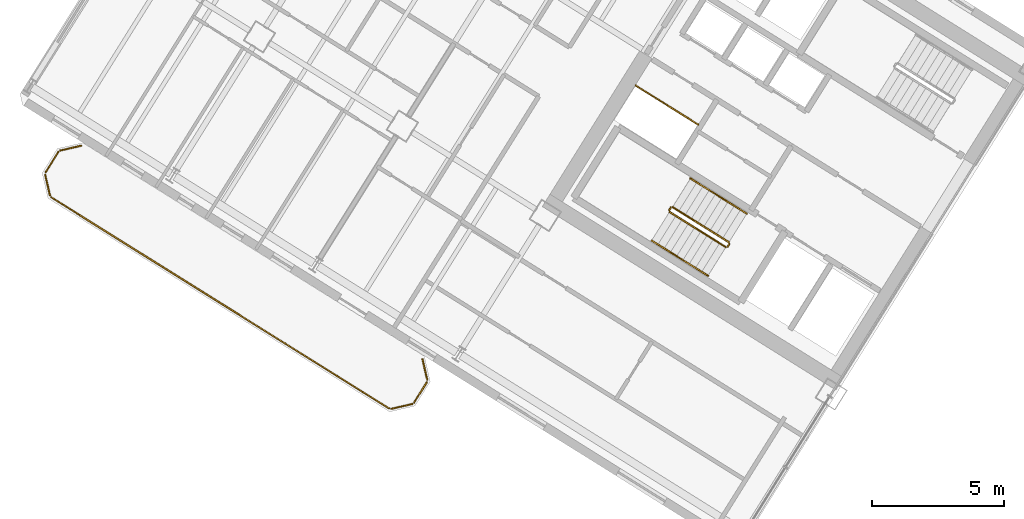
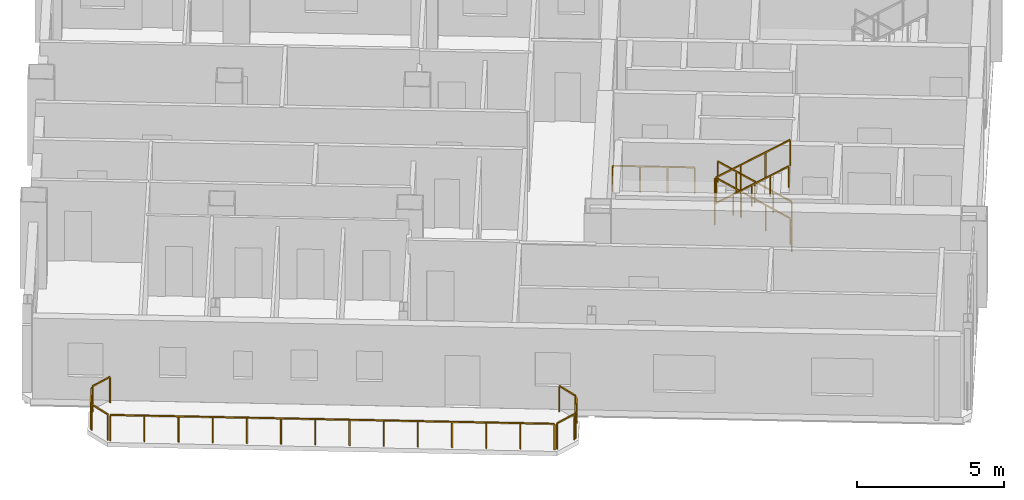
# One storey, part 15 of 18: 16 railings.
"""IFC4 building model written with IfcOpenShell, lengths in metres."""

from ifc_helpers import new_model, si_unit, direction, frame, origin, origin_2d, place, context, subcontext, project, spatial, rectangle, extrude, source, transform, mapped, material, type_object, element, save


model = new_model("IFC4")

# Units and contexts
model_context = context("Model", 3, precision=1e-05, world=origin(), true_north=direction((0.0, 1.0)))
body_context = subcontext(model_context, "Body", "Model", "MODEL_VIEW")
ifc_project = project(units=[si_unit("LENGTHUNIT", "METRE"), si_unit("AREAUNIT", "SQUARE_METRE"), si_unit("VOLUMEUNIT", "CUBIC_METRE"), si_unit("PLANEANGLEUNIT", "RADIAN"), si_unit("MASSUNIT", "GRAM", prefix="KILO")], contexts=[model_context])

# Site, building, storey
site_placement = place(None, origin())
site = spatial("IfcSite", under=ifc_project, at=site_placement, CompositionType="ELEMENT")
building_placement = place(site_placement, origin())
building = spatial("IfcBuilding", under=site, at=building_placement, Name="Tlacorven Tower", CompositionType="ELEMENT")
storey_placement = place(building_placement, frame((0.0, 0.0, 140.699951171875)))
storey = spatial("IfcBuildingStorey", under=building, at=storey_placement, Name="L35", CompositionType="ELEMENT", Elevation=140.699951171875)

# Railings
ifc_material = material(Name="Aluminium and painted steel balustrade", Category="steel")
railing_type_1 = type_object("IfcRailingType", Name="RL-GRD-1100", PredefinedType="GUARDRAIL", material=ifc_material)
shared_shape_1 = source(origin(), body_context, "Body", "SweptSolid", [
    extrude(rectangle(XDim=0.048095703125, YDim=0.048095703125, at=origin_2d()), frame((0.0, 0.0, 1.076171875), z_axis=(-0.848091358275, 0.529850024081, 0.0), x_axis=(-0.529850024081, -0.848091358275, 0.0)), (0.0, 0.0, 1.0), 2.800048828125),
    extrude(rectangle(XDim=0.0419921875, YDim=0.0419921875, at=origin_2d()), origin(), (0.0, 0.0, 1.0), 1.052001953125),
    extrude(rectangle(XDim=0.0419921875, YDim=0.0419921875, at=origin_2d()), frame((-0.79150390625, 0.49462890625, 0.0)), (0.0, 0.0, 1.0), 1.052001953125),
    extrude(rectangle(XDim=0.0419921875, YDim=0.0419921875, at=origin_2d()), frame((-1.583251953125, 0.989013671875, 0.0)), (0.0, 0.0, 1.0), 1.052001953125),
    extrude(rectangle(XDim=0.0419921875, YDim=0.0419921875, at=origin_2d()), frame((-2.374755859375, 1.483642578125, 0.0)), (0.0, 0.0, 1.0), 1.052001953125),
])
railing_1_placement = place(storey_placement, frame((27.9912109375, 22.32080078125, 0.0)))
element("IfcRailing", 1, at=railing_1_placement, inside=storey, type_object=railing_type_1, Name="L35 Electrical Riser W Shaft Guard 1", PredefinedType="GUARDRAIL", context=body_context, shape_type="MappedRepresentation", body=[
    mapped(shared_shape_1, transform((0.0, 0.0, 0.0), scale=1.0)),
])
railing_type_2 = type_object("IfcRailingType", Name="RL-BAL-1100", PredefinedType="BALUSTRADE", material=ifc_material)
shared_shape_2 = source(origin(), body_context, "Body", "SweptSolid", [
    extrude(rectangle(XDim=0.048095703125, YDim=0.048095703125, at=origin_2d()), frame((0.0, 0.0, 1.076171875), z_axis=(0.225058334816, -0.974345290916, 0.0), x_axis=(0.974345290916, 0.225058334816, 0.0)), (0.0, 0.0, 1.0), 0.80712890625),
    extrude(rectangle(XDim=0.0419921875, YDim=0.0419921875, at=origin_2d()), origin(), (0.0, 0.0, 1.0), 1.052001953125),
    extrude(rectangle(XDim=0.0419921875, YDim=0.0419921875, at=origin_2d()), frame((0.181640625, -0.786376953125, 0.0)), (0.0, 0.0, 1.0), 1.052001953125),
])
railing_2_placement = place(storey_placement, frame((17.5244140625, 13.413330078125, 0.0)))
element("IfcRailing", 2, at=railing_2_placement, inside=storey, type_object=railing_type_2, Name="BAL-L35-W-OUT Guard Railing 1", PredefinedType="BALUSTRADE", context=body_context, shape_type="MappedRepresentation", body=[
    mapped(shared_shape_2, transform((0.0, 0.0, 0.0), scale=1.0)),
])
shared_shape_3 = source(origin(), body_context, "Body", "SweptSolid", [
    extrude(rectangle(XDim=0.048095703125, YDim=0.048095703125, at=origin_2d()), frame((0.0, 0.0, 1.076171875), z_axis=(-0.52987865805, -0.848073468364, 0.0), x_axis=(0.848073468364, -0.52987865805, 0.0)), (0.0, 0.0, 1.0), 0.912353515625),
    extrude(rectangle(XDim=0.0419921875, YDim=0.0419921875, at=origin_2d()), origin(), (0.0, 0.0, 1.0), 1.052001953125),
    extrude(rectangle(XDim=0.0419921875, YDim=0.0419921875, at=origin_2d()), frame((-0.4833984375, -0.773681640625, 0.0)), (0.0, 0.0, 1.0), 1.052001953125),
])
railing_3_placement = place(storey_placement, frame((17.690673828125, 12.535888671875, 0.0)))
element("IfcRailing", 3, at=railing_3_placement, inside=storey, type_object=railing_type_2, Name="BAL-L35-W-OUT Guard Railing 2", PredefinedType="BALUSTRADE", context=body_context, shape_type="MappedRepresentation", body=[
    mapped(shared_shape_3, transform((0.0, 0.0, 0.0), scale=1.0)),
])
shared_shape_4 = source(origin(), body_context, "Body", "SweptSolid", [
    extrude(rectangle(XDim=0.048095703125, YDim=0.048095703125, at=origin_2d()), frame((0.0, 0.0, 1.076171875), z_axis=(-0.974411586182, -0.224771129628, 0.0), x_axis=(0.224771129628, -0.974411586182, 0.0)), (0.0, 0.0, 1.0), 0.80712890625),
    extrude(rectangle(XDim=0.0419921875, YDim=0.0419921875, at=origin_2d()), origin(), (0.0, 0.0, 1.0), 1.052001953125),
    extrude(rectangle(XDim=0.0419921875, YDim=0.0419921875, at=origin_2d()), frame((-0.786376953125, -0.181396484375, 0.0)), (0.0, 0.0, 1.0), 1.052001953125),
])
railing_4_placement = place(storey_placement, frame((17.132080078125, 11.70849609375, 0.0)))
element("IfcRailing", 4, at=railing_4_placement, inside=storey, type_object=railing_type_2, Name="BAL-L35-W-OUT Guard Railing 3", PredefinedType="BALUSTRADE", context=body_context, shape_type="MappedRepresentation", body=[
    mapped(shared_shape_4, transform((0.0, 0.0, 0.0), scale=1.0)),
])
shared_shape_5 = source(origin(), body_context, "Body", "SweptSolid", [
    extrude(rectangle(XDim=0.048095703125, YDim=0.048095703125, at=origin_2d()), frame((0.0, 0.0, 1.076171875), z_axis=(-0.848044572804, 0.529924902733, 0.0), x_axis=(-0.529924902733, -0.848044572804, 0.0)), (0.0, 0.0, 1.0), 15.1171875),
    extrude(rectangle(XDim=0.0419921875, YDim=0.0419921875, at=origin_2d()), origin(), (0.0, 0.0, 1.0), 1.052001953125),
    extrude(rectangle(XDim=0.0419921875, YDim=0.0419921875, at=origin_2d()), frame((-0.986083984375, 0.6162109375, 0.0)), (0.0, 0.0, 1.0), 1.052001953125),
    extrude(rectangle(XDim=0.0419921875, YDim=0.0419921875, at=origin_2d()), frame((-1.972412109375, 1.232421875, 0.0)), (0.0, 0.0, 1.0), 1.052001953125),
    extrude(rectangle(XDim=0.0419921875, YDim=0.0419921875, at=origin_2d()), frame((-2.95849609375, 1.8486328125, 0.0)), (0.0, 0.0, 1.0), 1.052001953125),
    extrude(rectangle(XDim=0.0419921875, YDim=0.0419921875, at=origin_2d()), frame((-3.944580078125, 2.46484375, 0.0)), (0.0, 0.0, 1.0), 1.052001953125),
    extrude(rectangle(XDim=0.0419921875, YDim=0.0419921875, at=origin_2d()), frame((-4.930908203125, 3.0810546875, 0.0)), (0.0, 0.0, 1.0), 1.052001953125),
    extrude(rectangle(XDim=0.0419921875, YDim=0.0419921875, at=origin_2d()), frame((-5.9169921875, 3.697265625, 0.0)), (0.0, 0.0, 1.0), 1.052001953125),
    extrude(rectangle(XDim=0.0419921875, YDim=0.0419921875, at=origin_2d()), frame((-6.903076171875, 4.313720703125, 0.0)), (0.0, 0.0, 1.0), 1.052001953125),
    extrude(rectangle(XDim=0.0419921875, YDim=0.0419921875, at=origin_2d()), frame((-7.88916015625, 4.929931640625, 0.0)), (0.0, 0.0, 1.0), 1.052001953125),
    extrude(rectangle(XDim=0.0419921875, YDim=0.0419921875, at=origin_2d()), frame((-8.87548828125, 5.546142578125, 0.0)), (0.0, 0.0, 1.0), 1.052001953125),
    extrude(rectangle(XDim=0.0419921875, YDim=0.0419921875, at=origin_2d()), frame((-9.861572265625, 6.162353515625, 0.0)), (0.0, 0.0, 1.0), 1.052001953125),
    extrude(rectangle(XDim=0.0419921875, YDim=0.0419921875, at=origin_2d()), frame((-10.84765625, 6.778564453125, 0.0)), (0.0, 0.0, 1.0), 1.052001953125),
    extrude(rectangle(XDim=0.0419921875, YDim=0.0419921875, at=origin_2d()), frame((-11.833984375, 7.394775390625, 0.0)), (0.0, 0.0, 1.0), 1.052001953125),
    extrude(rectangle(XDim=0.0419921875, YDim=0.0419921875, at=origin_2d()), frame((-12.820068359375, 8.010986328125, 0.0)), (0.0, 0.0, 1.0), 1.052001953125),
])
railing_5_placement = place(storey_placement, frame((16.254638671875, 11.542236328125, 0.0)))
element("IfcRailing", 5, at=railing_5_placement, inside=storey, type_object=railing_type_2, Name="BAL-L35-W-OUT Guard Railing 4", PredefinedType="BALUSTRADE", context=body_context, shape_type="MappedRepresentation", body=[
    mapped(shared_shape_5, transform((0.0, 0.0, 0.0), scale=1.0)),
])
shared_shape_6 = source(origin(), body_context, "Body", "SweptSolid", [
    extrude(rectangle(XDim=0.048095703125, YDim=0.048095703125, at=origin_2d()), frame((0.0, 0.0, 1.076171875), z_axis=(-0.225058334816, 0.974345290916, 0.0), x_axis=(-0.974345290916, -0.225058334816, 0.0)), (0.0, 0.0, 1.0), 0.80712890625),
    extrude(rectangle(XDim=0.0419921875, YDim=0.0419921875, at=origin_2d()), origin(), (0.0, 0.0, 1.0), 1.052001953125),
    extrude(rectangle(XDim=0.0419921875, YDim=0.0419921875, at=origin_2d()), frame((-0.181640625, 0.786376953125, 0.0)), (0.0, 0.0, 1.0), 1.052001953125),
])
railing_6_placement = place(storey_placement, frame((3.380859375, 19.62841796875, 0.0)))
element("IfcRailing", 6, at=railing_6_placement, inside=storey, type_object=railing_type_2, Name="BAL-L35-W-OUT Guard Railing 5", PredefinedType="BALUSTRADE", context=body_context, shape_type="MappedRepresentation", body=[
    mapped(shared_shape_6, transform((0.0, 0.0, 0.0), scale=1.0)),
])
shared_shape_7 = source(origin(), body_context, "Body", "SweptSolid", [
    extrude(rectangle(XDim=0.048095703125, YDim=0.048095703125, at=origin_2d()), frame((0.0, 0.0, 1.076171875), z_axis=(0.52987865805, 0.848073468364, 0.0), x_axis=(-0.848073468364, 0.52987865805, 0.0)), (0.0, 0.0, 1.0), 0.912353515625),
    extrude(rectangle(XDim=0.0419921875, YDim=0.0419921875, at=origin_2d()), origin(), (0.0, 0.0, 1.0), 1.052001953125),
    extrude(rectangle(XDim=0.0419921875, YDim=0.0419921875, at=origin_2d()), frame((0.4833984375, 0.773681640625, 0.0)), (0.0, 0.0, 1.0), 1.052001953125),
])
railing_7_placement = place(storey_placement, frame((3.214599609375, 20.505859375, 0.0)))
element("IfcRailing", 7, at=railing_7_placement, inside=storey, type_object=railing_type_2, Name="BAL-L35-W-OUT Guard Railing 6", PredefinedType="BALUSTRADE", context=body_context, shape_type="MappedRepresentation", body=[
    mapped(shared_shape_7, transform((0.0, 0.0, 0.0), scale=1.0)),
])
shared_shape_8 = source(origin(), body_context, "Body", "SweptSolid", [
    extrude(rectangle(XDim=0.048095703125, YDim=0.048095703125, at=origin_2d()), frame((0.0, 0.0, 1.076171875), z_axis=(0.974345290916, 0.225058334816, 0.0), x_axis=(-0.225058334816, 0.974345290916, 0.0)), (0.0, 0.0, 1.0), 0.80712890625),
    extrude(rectangle(XDim=0.0419921875, YDim=0.0419921875, at=origin_2d()), origin(), (0.0, 0.0, 1.0), 1.052001953125),
    extrude(rectangle(XDim=0.0419921875, YDim=0.0419921875, at=origin_2d()), frame((0.786376953125, 0.181640625, 0.0)), (0.0, 0.0, 1.0), 1.052001953125),
])
railing_8_placement = place(storey_placement, frame((3.773193359375, 21.3330078125, 0.0)))
element("IfcRailing", 8, at=railing_8_placement, inside=storey, type_object=railing_type_2, Name="BAL-L35-W-OUT Guard Railing 7", PredefinedType="BALUSTRADE", context=body_context, shape_type="MappedRepresentation", body=[
    mapped(shared_shape_8, transform((0.0, 0.0, 0.0), scale=1.0)),
])
shared_shape_9 = source(origin(), body_context, "Body", "SweptSolid", [
    extrude(rectangle(XDim=0.048095703125, YDim=0.048095703125, at=origin_2d()), frame((0.0, 0.0, 1.076171875), z_axis=(-0.529084052582, -0.848569422795, 0.0), x_axis=(0.848569422795, -0.529084052582, 0.0)), (0.0, 0.0, 1.0), 0.119873046875),
    extrude(rectangle(XDim=0.0419921875, YDim=0.0419921875, at=origin_2d()), origin(), (0.0, 0.0, 1.0), 1.052001953125),
    extrude(rectangle(XDim=0.0419921875, YDim=0.0419921875, at=origin_2d()), frame((-0.0634765625, -0.101806640625, 0.0)), (0.0, 0.0, 1.0), 1.052001953125),
])
railing_9_placement = place(storey_placement, frame((29.176513671875, 17.782958984375, 0.0)))
element("IfcRailing", 9, at=railing_9_placement, inside=storey, type_object=railing_type_1, Name="L35 ST-W1 stair guard 4", PredefinedType="GUARDRAIL", context=body_context, shape_type="MappedRepresentation", body=[
    mapped(shared_shape_9, transform((0.0, 0.0, 0.0), scale=1.0)),
])
shared_shape_10 = source(origin(), body_context, "Body", "SweptSolid", [
    extrude(rectangle(XDim=0.048095703125, YDim=0.048095703125, at=origin_2d()), frame((0.0, 0.0, 1.076171875), z_axis=(-0.713319727316, 0.445773895627, 0.540796265334), x_axis=(-0.529955395941, -0.84802551749, 0.0)), (0.0, 0.0, 1.0), 2.995849609375),
    extrude(rectangle(XDim=0.0419921875, YDim=0.0419921875, at=origin_2d()), origin(), (0.0, 0.0, 1.0), 1.052001953125),
    extrude(rectangle(XDim=0.0419921875, YDim=0.0419921875, at=origin_2d()), frame((-0.71240234375, 0.445068359375, 0.5400390625)), (0.0, 0.0, 1.0), 1.052001953125),
    extrude(rectangle(XDim=0.0419921875, YDim=0.0419921875, at=origin_2d()), frame((-1.424560546875, 0.890380859375, 1.080078125)), (0.0, 0.0, 1.0), 1.052001953125),
    extrude(rectangle(XDim=0.0419921875, YDim=0.0419921875, at=origin_2d()), frame((-2.136962890625, 1.33544921875, 1.6201171875)), (0.0, 0.0, 1.0), 1.052001953125),
])
railing_10_placement = place(storey_placement, frame((29.16064453125, 17.851806640625, 0.179931640625)))
element("IfcRailing", 10, at=railing_10_placement, inside=storey, type_object=railing_type_1, Name="L35 ST-W1 stair guard 1", PredefinedType="GUARDRAIL", context=body_context, shape_type="MappedRepresentation", body=[
    mapped(shared_shape_10, transform((0.0, 0.0, 0.0), scale=1.0)),
])
shared_shape_11 = source(origin(), body_context, "Body", "SweptSolid", [
    extrude(rectangle(XDim=0.048095703125, YDim=0.048095703125, at=origin_2d()), frame((0.0, 0.0, 1.076171875), z_axis=(-0.530546985787, -0.847655529016, 0.0), x_axis=(0.847655529016, -0.530546985787, 0.0)), (0.0, 0.0, 1.0), 0.1201171875),
    extrude(rectangle(XDim=0.0419921875, YDim=0.0419921875, at=origin_2d()), origin(), (0.0, 0.0, 1.0), 1.052001953125),
    extrude(rectangle(XDim=0.0419921875, YDim=0.0419921875, at=origin_2d()), frame((-0.063720703125, -0.101806640625, 0.0)), (0.0, 0.0, 1.0), 1.052001953125),
])
railing_11_placement = place(storey_placement, frame((26.954833984375, 19.17138671875, 1.800048828125)))
element("IfcRailing", 11, at=railing_11_placement, inside=storey, type_object=railing_type_1, Name="L35 ST-W1 stair guard 2", PredefinedType="GUARDRAIL", context=body_context, shape_type="MappedRepresentation", body=[
    mapped(shared_shape_11, transform((0.0, 0.0, 0.0), scale=1.0)),
])
shared_shape_12 = source(origin(), body_context, "Body", "SweptSolid", [
    extrude(rectangle(XDim=0.048095703125, YDim=0.048095703125, at=origin_2d()), frame((0.0, 0.0, 1.076171875), z_axis=(0.713359751793, -0.4457479829, 0.540764828981), x_axis=(0.529911857636, 0.848052724267, 0.0)), (0.0, 0.0, 1.0), 2.99609375),
    extrude(rectangle(XDim=0.0419921875, YDim=0.0419921875, at=origin_2d()), origin(), (0.0, 0.0, 1.0), 1.052001953125),
    extrude(rectangle(XDim=0.0419921875, YDim=0.0419921875, at=origin_2d()), frame((0.71240234375, -0.445068359375, 0.5400390625)), (0.0, 0.0, 1.0), 1.052001953125),
    extrude(rectangle(XDim=0.0419921875, YDim=0.0419921875, at=origin_2d()), frame((1.4248046875, -0.890380859375, 1.080078125)), (0.0, 0.0, 1.0), 1.052001953125),
    extrude(rectangle(XDim=0.0419921875, YDim=0.0419921875, at=origin_2d()), frame((2.13720703125, -1.33544921875, 1.6201171875)), (0.0, 0.0, 1.0), 1.052001953125),
])
railing_12_placement = place(storey_placement, frame((26.906982421875, 19.000732421875, 1.97998046875)))
element("IfcRailing", 12, at=railing_12_placement, inside=storey, type_object=railing_type_1, Name="L35 ST-W1 stair guard 3", PredefinedType="GUARDRAIL", context=body_context, shape_type="MappedRepresentation", body=[
    mapped(shared_shape_12, transform((0.0, 0.0, 0.0), scale=1.0)),
])
railing_type_3 = type_object("IfcRailingType", Name="RL-HND-0900", PredefinedType="HANDRAIL", material=ifc_material)
shared_shape_13 = source(origin(), body_context, "Body", "SweptSolid", [
    extrude(rectangle(XDim=0.048095703125, YDim=0.048095703125, at=origin_2d()), frame((0.0, 0.0, 0.8759765625), z_axis=(-0.713359751793, 0.4457479829, 0.540764828981), x_axis=(-0.529911857636, -0.848052724267, 0.0)), (0.0, 0.0, 1.0), 1.498046875),
    extrude(rectangle(XDim=0.0419921875, YDim=0.0419921875, at=origin_2d()), origin(), (0.0, 0.0, 1.0), 0.851806640625),
    extrude(rectangle(XDim=0.0419921875, YDim=0.0419921875, at=origin_2d()), frame((-0.5341796875, 0.333984375, 0.405029296875)), (0.0, 0.0, 1.0), 0.851806640625),
    extrude(rectangle(XDim=0.0419921875, YDim=0.0419921875, at=origin_2d()), frame((-1.068603515625, 0.667724609375, 0.81005859375)), (0.0, 0.0, 1.0), 0.851806640625),
])
for number, where, name in (
    (13, (29.839111328125, 18.937255859375, 0.179931640625), "L35 ST-W1 stair handrail 1"),
    (14, (28.7705078125, 19.60498046875, 0.989990234375), "L35 ST-W1 stair handrail 2"),
):
    element("IfcRailing", number, at=place(storey_placement, frame(where)), inside=storey, type_object=railing_type_3, Name=name, PredefinedType="HANDRAIL", context=body_context, shape_type="MappedRepresentation", body=[
        mapped(shared_shape_13, transform((0.0, 0.0, 0.0), scale=1.0)),
    ])
shared_shape_14 = source(origin(), body_context, "Body", "SweptSolid", [
    extrude(rectangle(XDim=0.048095703125, YDim=0.048095703125, at=origin_2d()), frame((0.0, 0.0, 0.8759765625), z_axis=(0.713359751793, -0.4457479829, 0.540764828981), x_axis=(0.529911857636, 0.848052724267, 0.0)), (0.0, 0.0, 1.0), 1.498046875),
    extrude(rectangle(XDim=0.0419921875, YDim=0.0419921875, at=origin_2d()), origin(), (0.0, 0.0, 1.0), 0.851806640625),
    extrude(rectangle(XDim=0.0419921875, YDim=0.0419921875, at=origin_2d()), frame((0.5341796875, -0.333984375, 0.405029296875)), (0.0, 0.0, 1.0), 0.851806640625),
    extrude(rectangle(XDim=0.0419921875, YDim=0.0419921875, at=origin_2d()), frame((1.068603515625, -0.667724609375, 0.81005859375)), (0.0, 0.0, 1.0), 0.851806640625),
])
railing_13_placement = place(storey_placement, frame((26.228759765625, 17.915283203125, 1.97998046875)))
element("IfcRailing", 15, at=railing_13_placement, inside=storey, type_object=railing_type_3, Name="L35 ST-W1 stair handrail 3", PredefinedType="HANDRAIL", context=body_context, shape_type="MappedRepresentation", body=[
    mapped(shared_shape_14, transform((0.0, 0.0, 0.0), scale=1.0)),
])
shared_shape_15 = source(origin(), body_context, "Body", "SweptSolid", [
    extrude(rectangle(XDim=0.048095703125, YDim=0.048095703125, at=origin_2d()), frame((0.0, 0.0, 0.8759765625), z_axis=(0.713279695859, -0.445799809912, 0.540827703579), x_axis=(0.529998940003, 0.847998304005, 0.0)), (0.0, 0.0, 1.0), 1.497802734375),
    extrude(rectangle(XDim=0.0419921875, YDim=0.0419921875, at=origin_2d()), origin(), (0.0, 0.0, 1.0), 0.851806640625),
    extrude(rectangle(XDim=0.0419921875, YDim=0.0419921875, at=origin_2d()), frame((0.5341796875, -0.333984375, 0.405029296875)), (0.0, 0.0, 1.0), 0.851806640625),
    extrude(rectangle(XDim=0.0419921875, YDim=0.0419921875, at=origin_2d()), frame((1.068359375, -0.667724609375, 0.81005859375)), (0.0, 0.0, 1.0), 0.851806640625),
])
railing_14_placement = place(storey_placement, frame((27.29736328125, 17.24755859375, 2.7900390625)))
element("IfcRailing", 16, at=railing_14_placement, inside=storey, type_object=railing_type_3, Name="L35 ST-W1 stair handrail 4", PredefinedType="HANDRAIL", context=body_context, shape_type="MappedRepresentation", body=[
    mapped(shared_shape_15, transform((0.0, 0.0, 0.0), scale=1.0)),
])

save(model, "model.ifc")
